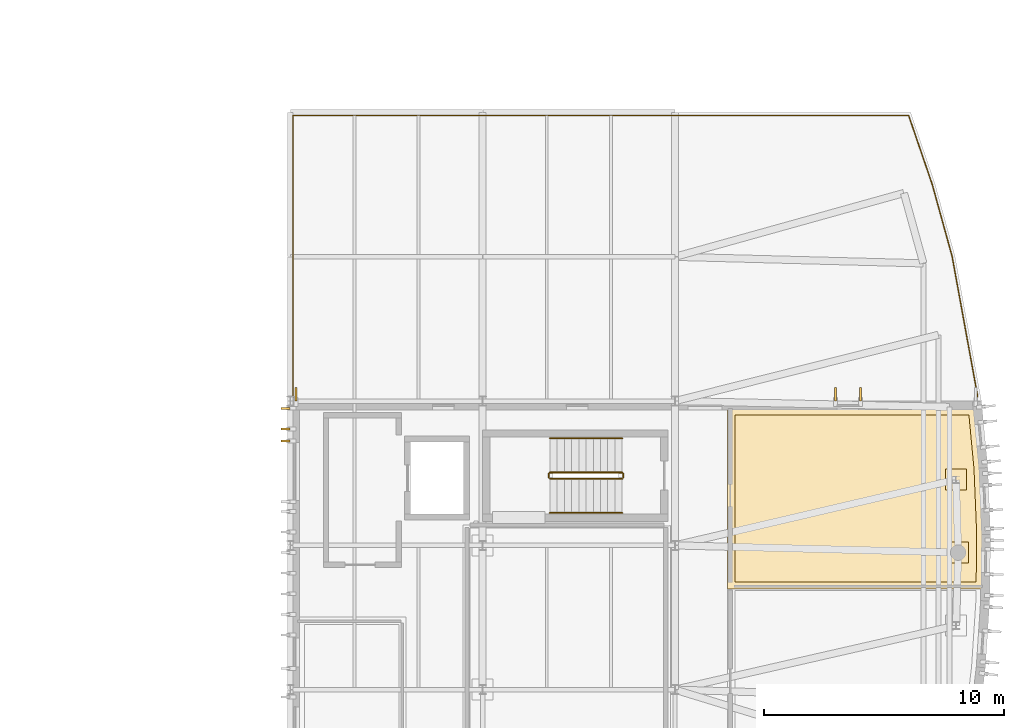
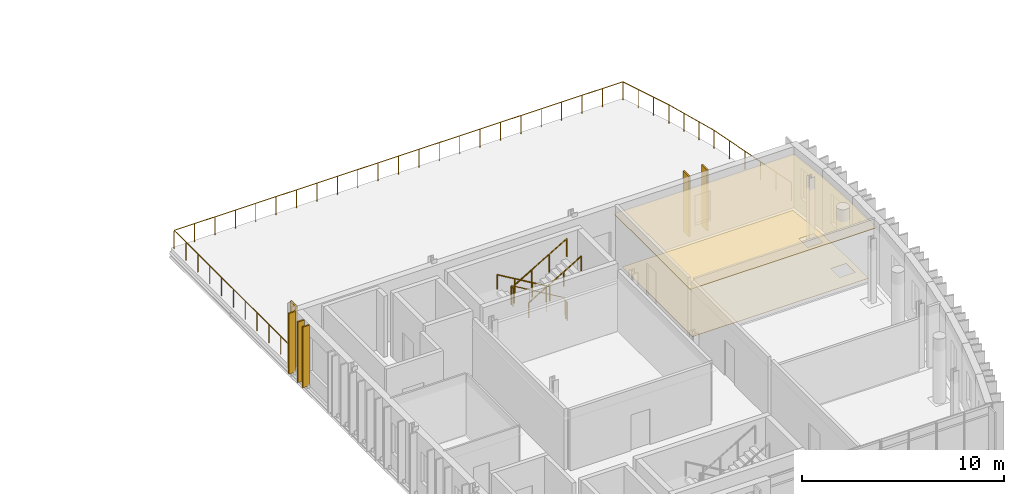
# One storey, part 39 of 40: 8 coverings, 7 railings.
"""IFC4 building model written with IfcOpenShell, lengths in metres."""

from ifc_helpers import new_model, si_unit, direction, frame, origin, origin_2d, place, context, subcontext, project, spatial, polyline, rectangle, circle, outline, extrude, material, layer, layer_set, type_object, element, save


model = new_model("IFC4")

# Units and contexts
model_context = context("Model", 3, precision=1e-05, world=origin(), true_north=direction((0.0, 1.0)))
body_context = subcontext(model_context, "Body", "Model", "MODEL_VIEW")
ifc_project = project(units=[si_unit("LENGTHUNIT", "METRE"), si_unit("AREAUNIT", "SQUARE_METRE"), si_unit("VOLUMEUNIT", "CUBIC_METRE"), si_unit("PLANEANGLEUNIT", "RADIAN"), si_unit("MASSUNIT", "GRAM", prefix="KILO")], contexts=[model_context])

# Site, building, storey
site_placement = place(None, origin())
site = spatial("IfcSite", under=ifc_project, at=site_placement, CompositionType="ELEMENT")
building_placement = place(site_placement, origin())
building = spatial("IfcBuilding", under=site, at=building_placement, Name="Cymarion Research Institute", CompositionType="ELEMENT")
storey_placement = place(building_placement, frame((0.0, 0.0, 26.699951171875)))
storey = spatial("IfcBuildingStorey", under=building, at=storey_placement, Name="L06", CompositionType="ELEMENT", Elevation=26.699951171875)

# Coverings
ifc_material_1 = material(Name="Micro-perforated mineral acoustic ceiling tile", Category="gypsum")
ifc_layer_1 = layer(ifc_material_1, 0.030029296875)
ifc_layer_set_1 = layer_set([ifc_layer_1], Name="Micro-perforated mineral acoustic ceiling tile")
covering_type_1 = type_object("IfcCoveringType", Name="ACOUSTIC MICRO-PERFORATED SUSPENDED CEILING CLG-01", PredefinedType="CEILING", material=ifc_layer_set_1)
covering_1_placement = place(storey_placement, frame((0.0, 0.0, 3.130126953125)))
element("IfcCovering", 1, at=covering_1_placement, inside=storey, type_object=covering_type_1, Name="L06 L06 Tower Staff Restrooms and Accessible Washroom acoustic ceiling", PredefinedType="CEILING", context=body_context, shape_type="SweptSolid", body=[
    extrude(outline(polyline([(167.44580078125, 23.952392578125), (167.418212890625, 21.68505859375), (156.784912109375, 21.68505859375), (156.784912109375, 29.22509765625), (167.093505859375, 29.22509765625), (167.331787109375, 26.714599609375), (167.44580078125, 23.952392578125)])), origin(), (0.0, 0.0, 1.0), 0.030029296875),
])
ifc_material_2 = material(Name="Precast concrete C45/55 architectural white", Category="concrete")
ifc_layer_2 = layer(ifc_material_2, 0.090087890625)
ifc_layer_set_2 = layer_set([ifc_layer_2], Name="Precast concrete C45/55 architectural white")
covering_type_2 = type_object("IfcCoveringType", Name="ARCHITECTURAL WHITE PRECAST CONCRETE VERTICAL FIN FIN1 560MM", PredefinedType="CLADDING", material=ifc_layer_set_2)
for number, where, z_axis, x_axis, name in (
    (2, (162.307861328125, 29.781982421875, 0.01025390625), (0.0, 0.0, 1.0), (0.0, 1.0, 0.0), "L06 V1 white precast vertical fin FIN1 #640"),
    (3, (161.267822265625, 29.781982421875, 0.01025390625), (0.0, 0.0, 1.0), (0.0, 1.0, 0.0), "L06 V1 white precast vertical fin FIN1 #641"),
    (4, (138.840087890625, 29.781982421875, 0.01025390625), (0.0, 0.0, 1.0), (0.0, 1.0, 0.0), "L06 V1 white precast vertical fin FIN1 #642"),
):
    element("IfcCovering", number, at=place(storey_placement, frame(where, z_axis=z_axis, x_axis=x_axis)), inside=storey, type_object=covering_type_2, Name=name, PredefinedType="CLADDING", context=body_context, shape_type="SweptSolid", body=[
        extrude(rectangle(XDim=0.56005859375, YDim=0.090087890625, at=origin_2d()), origin(), (0.0, 0.0, 1.0), 3.659912109375),
    ])
ifc_layer_3 = layer(ifc_material_2, 0.0849609375)
ifc_layer_set_3 = layer_set([ifc_layer_3], Name="Precast concrete C45/55 architectural white")
covering_type_3 = type_object("IfcCoveringType", Name="ARCHITECTURAL WHITE PRECAST CONCRETE VERTICAL FIN FIN3 380MM", PredefinedType="CLADDING", material=ifc_layer_set_3)
for number, where, z_axis, x_axis, name in (
    (5, (138.407958984375, 29.199951171875, 0.01025390625), (0.0, 0.0, 1.0), (-1.0, 0.0, 0.0), "L06 V1 white precast vertical fin FIN3 #643"),
    (6, (138.407958984375, 28.343017578125, 0.01025390625), (0.0, 0.0, 1.0), (-1.0, 0.0, 0.0), "L06 V1 white precast vertical fin FIN3 #644"),
    (7, (138.407958984375, 27.833984375, 0.01025390625), (0.0, 0.0, 1.0), (-1.0, 0.0, 0.0), "L06 V1 white precast vertical fin FIN3 #645"),
):
    element("IfcCovering", number, at=place(storey_placement, frame(where, z_axis=z_axis, x_axis=x_axis)), inside=storey, type_object=covering_type_3, Name=name, PredefinedType="CLADDING", context=body_context, shape_type="SweptSolid", body=[
        extrude(rectangle(XDim=0.3798828125, YDim=0.0849609375, at=origin_2d()), origin(), (0.0, 0.0, 1.0), 3.659912109375),
    ])

# Railings
ifc_material_3 = material(Name="Steel S355", Category="steel")
railing_type_1 = type_object("IfcRailingType", Name="LAMINATED GLASS AND STEEL BALUSTRADE BAL1 1120MM", PredefinedType="BALUSTRADE", material=ifc_material_3)
railing_1_placement = place(storey_placement, frame((138.719970703125, 29.679931640625, 0.0)))
element("IfcRailing", 8, at=railing_1_placement, inside=storey, type_object=railing_type_1, Name="L06 V1 roof garden perimeter balustrade #7", PredefinedType="BALUSTRADE", context=body_context, shape_type="SweptSolid", body=[
    extrude(circle(Radius=0.02392578125, at=origin_2d()), frame((0.0, 0.0, 1.09619140625), z_axis=(0.0, 1.0, 0.0), x_axis=(-1.0, 0.0, 0.0)), (0.0, 0.0, 1.0), 11.699951171875),
    extrude(circle(Radius=0.02392578125, at=origin_2d()), frame((0.0, 11.699951171875, 1.09619140625), z_axis=(1.0, 0.0, 0.0), x_axis=(0.0, 1.0, 0.0)), (0.0, 0.0, 1.0), 25.59423828125),
    extrude(circle(Radius=0.02392578125, at=origin_2d()), frame((25.59423828125, 11.699951171875, 1.09619140625), z_axis=(0.323767487374, -0.94613667835, 0.0), x_axis=(0.94613667835, 0.323767487374, 0.0)), (0.0, 0.0, 1.0), 3.02685546875),
    extrude(circle(Radius=0.02392578125, at=origin_2d()), frame((26.57421875, 8.836181640625, 1.09619140625), z_axis=(0.266419897399, -0.963857063194, 0.0), x_axis=(0.963857063194, 0.266419897399, 0.0)), (0.0, 0.0, 1.0), 3.107421875),
    extrude(circle(Radius=0.02392578125, at=origin_2d()), frame((27.402099609375, 5.841064453125, 1.09619140625), z_axis=(0.179641615294, -0.983732123118, 0.0), x_axis=(0.983732123118, 0.179641615294, 0.0)), (0.0, 0.0, 1.0), 5.937744140625),
    extrude(circle(Radius=0.02099609375, at=origin_2d()), origin(), (0.0, 0.0, 1.0), 1.072021484375),
    extrude(circle(Radius=0.02099609375, at=origin_2d()), frame((0.0, 1.169921875, 0.0)), (0.0, 0.0, 1.0), 1.072021484375),
    extrude(circle(Radius=0.02099609375, at=origin_2d()), frame((0.0, 2.340087890625, 0.0)), (0.0, 0.0, 1.0), 1.072021484375),
    extrude(circle(Radius=0.02099609375, at=origin_2d()), frame((0.0, 3.510009765625, 0.0)), (0.0, 0.0, 1.0), 1.072021484375),
    extrude(circle(Radius=0.02099609375, at=origin_2d()), frame((0.0, 4.679931640625, 0.0)), (0.0, 0.0, 1.0), 1.072021484375),
    extrude(circle(Radius=0.02099609375, at=origin_2d()), frame((0.0, 5.85009765625, 0.0)), (0.0, 0.0, 1.0), 1.072021484375),
    extrude(circle(Radius=0.02099609375, at=origin_2d()), frame((0.0, 7.02001953125, 0.0)), (0.0, 0.0, 1.0), 1.072021484375),
    extrude(circle(Radius=0.02099609375, at=origin_2d()), frame((0.0, 8.18994140625, 0.0)), (0.0, 0.0, 1.0), 1.072021484375),
    extrude(circle(Radius=0.02099609375, at=origin_2d()), frame((0.0, 9.35986328125, 0.0)), (0.0, 0.0, 1.0), 1.072021484375),
    extrude(circle(Radius=0.02099609375, at=origin_2d()), frame((0.0, 10.530029296875, 0.0)), (0.0, 0.0, 1.0), 1.072021484375),
    extrude(circle(Radius=0.02099609375, at=origin_2d()), frame((0.0, 11.699951171875, 0.0)), (0.0, 0.0, 1.0), 1.072021484375),
    extrude(circle(Radius=0.02099609375, at=origin_2d()), frame((1.163330078125, 11.699951171875, 0.0)), (0.0, 0.0, 1.0), 1.072021484375),
    extrude(circle(Radius=0.02099609375, at=origin_2d()), frame((2.32666015625, 11.699951171875, 0.0)), (0.0, 0.0, 1.0), 1.072021484375),
    extrude(circle(Radius=0.02099609375, at=origin_2d()), frame((3.490234375, 11.699951171875, 0.0)), (0.0, 0.0, 1.0), 1.072021484375),
    extrude(circle(Radius=0.02099609375, at=origin_2d()), frame((4.653564453125, 11.699951171875, 0.0)), (0.0, 0.0, 1.0), 1.072021484375),
    extrude(circle(Radius=0.02099609375, at=origin_2d()), frame((5.81689453125, 11.699951171875, 0.0)), (0.0, 0.0, 1.0), 1.072021484375),
    extrude(circle(Radius=0.02099609375, at=origin_2d()), frame((6.980224609375, 11.699951171875, 0.0)), (0.0, 0.0, 1.0), 1.072021484375),
    extrude(circle(Radius=0.02099609375, at=origin_2d()), frame((8.1435546875, 11.699951171875, 0.0)), (0.0, 0.0, 1.0), 1.072021484375),
    extrude(circle(Radius=0.02099609375, at=origin_2d()), frame((9.306884765625, 11.699951171875, 0.0)), (0.0, 0.0, 1.0), 1.072021484375),
    extrude(circle(Radius=0.02099609375, at=origin_2d()), frame((10.470458984375, 11.699951171875, 0.0)), (0.0, 0.0, 1.0), 1.072021484375),
    extrude(circle(Radius=0.02099609375, at=origin_2d()), frame((11.6337890625, 11.699951171875, 0.0)), (0.0, 0.0, 1.0), 1.072021484375),
    extrude(circle(Radius=0.02099609375, at=origin_2d()), frame((12.797119140625, 11.699951171875, 0.0)), (0.0, 0.0, 1.0), 1.072021484375),
    extrude(circle(Radius=0.02099609375, at=origin_2d()), frame((13.96044921875, 11.699951171875, 0.0)), (0.0, 0.0, 1.0), 1.072021484375),
    extrude(circle(Radius=0.02099609375, at=origin_2d()), frame((15.123779296875, 11.699951171875, 0.0)), (0.0, 0.0, 1.0), 1.072021484375),
    extrude(circle(Radius=0.02099609375, at=origin_2d()), frame((16.287353515625, 11.699951171875, 0.0)), (0.0, 0.0, 1.0), 1.072021484375),
    extrude(circle(Radius=0.02099609375, at=origin_2d()), frame((17.45068359375, 11.699951171875, 0.0)), (0.0, 0.0, 1.0), 1.072021484375),
    extrude(circle(Radius=0.02099609375, at=origin_2d()), frame((18.614013671875, 11.699951171875, 0.0)), (0.0, 0.0, 1.0), 1.072021484375),
    extrude(circle(Radius=0.02099609375, at=origin_2d()), frame((19.77734375, 11.699951171875, 0.0)), (0.0, 0.0, 1.0), 1.072021484375),
    extrude(circle(Radius=0.02099609375, at=origin_2d()), frame((20.940673828125, 11.699951171875, 0.0)), (0.0, 0.0, 1.0), 1.072021484375),
    extrude(circle(Radius=0.02099609375, at=origin_2d()), frame((22.10400390625, 11.699951171875, 0.0)), (0.0, 0.0, 1.0), 1.072021484375),
    extrude(circle(Radius=0.02099609375, at=origin_2d()), frame((23.267578125, 11.699951171875, 0.0)), (0.0, 0.0, 1.0), 1.072021484375),
    extrude(circle(Radius=0.02099609375, at=origin_2d()), frame((24.430908203125, 11.699951171875, 0.0)), (0.0, 0.0, 1.0), 1.072021484375),
    extrude(circle(Radius=0.02099609375, at=origin_2d()), frame((25.59423828125, 11.699951171875, 0.0)), (0.0, 0.0, 1.0), 1.072021484375),
    extrude(circle(Radius=0.02099609375, at=origin_2d()), frame((25.9208984375, 10.745361328125, 0.0)), (0.0, 0.0, 1.0), 1.072021484375),
    extrude(circle(Radius=0.02099609375, at=origin_2d()), frame((26.24755859375, 9.790771484375, 0.0)), (0.0, 0.0, 1.0), 1.072021484375),
    extrude(circle(Radius=0.02099609375, at=origin_2d()), frame((26.57421875, 8.836181640625, 0.0)), (0.0, 0.0, 1.0), 1.072021484375),
    extrude(circle(Radius=0.02099609375, at=origin_2d()), frame((26.85009765625, 7.837890625, 0.0)), (0.0, 0.0, 1.0), 1.072021484375),
    extrude(circle(Radius=0.02099609375, at=origin_2d()), frame((27.126220703125, 6.83935546875, 0.0)), (0.0, 0.0, 1.0), 1.072021484375),
    extrude(circle(Radius=0.02099609375, at=origin_2d()), frame((27.402099609375, 5.841064453125, 0.0)), (0.0, 0.0, 1.0), 1.072021484375),
    extrude(circle(Radius=0.02099609375, at=origin_2d()), frame((27.615478515625, 4.6728515625, 0.0)), (0.0, 0.0, 1.0), 1.072021484375),
    extrude(circle(Radius=0.02099609375, at=origin_2d()), frame((27.828857421875, 3.504638671875, 0.0)), (0.0, 0.0, 1.0), 1.072021484375),
    extrude(circle(Radius=0.02099609375, at=origin_2d()), frame((28.0419921875, 2.33642578125, 0.0)), (0.0, 0.0, 1.0), 1.072021484375),
    extrude(circle(Radius=0.02099609375, at=origin_2d()), frame((28.25537109375, 1.168212890625, 0.0)), (0.0, 0.0, 1.0), 1.072021484375),
    extrude(circle(Radius=0.02099609375, at=origin_2d()), frame((28.46875, 0.0, 0.0)), (0.0, 0.0, 1.0), 1.072021484375),
])
railing_type_2 = type_object("IfcRailingType", Name="PAINTED STEEL STAIR GUARDRAIL GR1 1100MM", PredefinedType="GUARDRAIL", material=ifc_material_3)
railing_2_placement = place(storey_placement, frame((152.39990234375, 26.530029296875, 0.17724609375)))
element("IfcRailing", 9, at=railing_2_placement, inside=storey, type_object=railing_type_2, Name="L06 ST2 stair guard 1", PredefinedType="GUARDRAIL", context=body_context, shape_type="SweptSolid", body=[
    extrude(circle(Radius=0.02392578125, at=origin_2d()), frame((0.0, 0.0, 1.076171875), z_axis=(-0.86092931783, 0.0, 0.508724591208), x_axis=(0.0, -1.0, 0.0)), (0.0, 0.0, 1.0), 3.484619140625),
    extrude(circle(Radius=0.02099609375, at=origin_2d()), origin(), (0.0, 0.0, 1.0), 1.052001953125),
    extrude(circle(Radius=0.02099609375, at=origin_2d()), frame((-1.0, 0.0, 0.5908203125)), (0.0, 0.0, 1.0), 1.052001953125),
    extrude(circle(Radius=0.02099609375, at=origin_2d()), frame((-2.0, 0.0, 1.181884765625)), (0.0, 0.0, 1.0), 1.052001953125),
    extrude(circle(Radius=0.02099609375, at=origin_2d()), frame((-3.0, 0.0, 1.772705078125)), (0.0, 0.0, 1.0), 1.052001953125),
])
railing_3_placement = place(storey_placement, frame((149.35009765625, 26.47998046875, 1.949951171875)))
element("IfcRailing", 10, at=railing_3_placement, inside=storey, type_object=railing_type_2, Name="L06 ST2 stair guard 2", PredefinedType="GUARDRAIL", context=body_context, shape_type="SweptSolid", body=[
    extrude(circle(Radius=0.02392578125, at=origin_2d()), frame((0.0, 0.0, 1.076171875), z_axis=(0.0, -1.0, 0.0), x_axis=(1.0, 0.0, 0.0)), (0.0, 0.0, 1.0), 0.159912109375),
    extrude(circle(Radius=0.02099609375, at=origin_2d()), origin(), (0.0, 0.0, 1.0), 1.052001953125),
    extrude(circle(Radius=0.02099609375, at=origin_2d()), frame((0.0, -0.159912109375, 0.0)), (0.0, 0.0, 1.0), 1.052001953125),
])
railing_4_placement = place(storey_placement, frame((149.39990234375, 26.27001953125, 2.12744140625)))
element("IfcRailing", 11, at=railing_4_placement, inside=storey, type_object=railing_type_2, Name="L06 ST2 stair guard 3", PredefinedType="GUARDRAIL", context=body_context, shape_type="SweptSolid", body=[
    extrude(circle(Radius=0.02392578125, at=origin_2d()), frame((0.0, 0.0, 1.076171875), z_axis=(0.86092931783, 0.0, 0.508724591208), x_axis=(0.0, 1.0, 0.0)), (0.0, 0.0, 1.0), 3.484619140625),
    extrude(circle(Radius=0.02099609375, at=origin_2d()), origin(), (0.0, 0.0, 1.0), 1.052001953125),
    extrude(circle(Radius=0.02099609375, at=origin_2d()), frame((1.0, 0.0, 0.5908203125)), (0.0, 0.0, 1.0), 1.052001953125),
    extrude(circle(Radius=0.02099609375, at=origin_2d()), frame((2.0, 0.0, 1.181884765625)), (0.0, 0.0, 1.0), 1.052001953125),
    extrude(circle(Radius=0.02099609375, at=origin_2d()), frame((3.0, 0.0, 1.772705078125)), (0.0, 0.0, 1.0), 1.052001953125),
])
railing_5_placement = place(storey_placement, frame((152.449951171875, 26.47998046875, 0.0)))
element("IfcRailing", 12, at=railing_5_placement, inside=storey, type_object=railing_type_2, Name="L06 ST2 stair guard 4", PredefinedType="GUARDRAIL", context=body_context, shape_type="SweptSolid", body=[
    extrude(circle(Radius=0.02392578125, at=origin_2d()), frame((0.0, 0.0, 1.076171875), z_axis=(0.0, -1.0, 0.0), x_axis=(1.0, 0.0, 0.0)), (0.0, 0.0, 1.0), 0.159912109375),
    extrude(circle(Radius=0.02099609375, at=origin_2d()), origin(), (0.0, 0.0, 1.0), 1.052001953125),
    extrude(circle(Radius=0.02099609375, at=origin_2d()), frame((0.0, -0.159912109375, 0.0)), (0.0, 0.0, 1.0), 1.052001953125),
])

# Covering
ifc_material_4 = material(Name="Seamless dissipative epoxy resin flooring", Category="resin")
ifc_layer_4 = layer(ifc_material_4, 0.02001953125)
ifc_layer_set_4 = layer_set([ifc_layer_4], Name="Seamless dissipative epoxy resin flooring")
covering_type_4 = type_object("IfcCoveringType", Name="SEAMLESS ESD EPOXY LABORATORY FLOORING FLR-01", PredefinedType="FLOORING", material=ifc_layer_set_4)
covering_2_placement = place(storey_placement, origin())
element("IfcCovering", 13, at=covering_2_placement, inside=storey, type_object=covering_type_4, Name="L06 L06 Tower Staff Restrooms and Accessible Washroom ESD epoxy flooring", PredefinedType="FLOORING", context=body_context, shape_type="SweptSolid", body=[
    extrude(outline(polyline([(167.032470703125, 26.694091796875), (167.14599609375, 23.947998046875), (167.121826171875, 21.985107421875), (157.0849609375, 21.985107421875), (157.0849609375, 28.925048828125), (166.820556640625, 28.925048828125), (167.032470703125, 26.694091796875)]), holes=[polyline([(165.94140625, 22.764892578125), (166.8115234375, 22.764892578125), (166.8115234375, 23.635009765625), (165.94140625, 23.635009765625), (165.94140625, 22.764892578125)]), polyline([(165.8505859375, 26.6689453125), (165.8505859375, 25.799072265625), (166.720458984375, 25.799072265625), (166.720458984375, 26.6689453125), (165.8505859375, 26.6689453125)])]), origin(), (0.0, 0.0, 1.0), 0.02001953125),
])

# Railings
railing_type_3 = type_object("IfcRailingType", Name="STAINLESS STEEL STAIR HANDRAIL HR1 900MM", PredefinedType="HANDRAIL", material=ifc_material_3)
railing_6_placement = place(storey_placement, frame((152.39990234375, 27.949951171875, 0.17724609375)))
element("IfcRailing", 14, at=railing_6_placement, inside=storey, type_object=railing_type_3, Name="L06 ST2 stair handrail 1", PredefinedType="HANDRAIL", context=body_context, shape_type="SweptSolid", body=[
    extrude(circle(Radius=0.02392578125, at=origin_2d()), frame((0.0, 0.0, 0.8759765625), z_axis=(-0.86092931783, 0.0, 0.508724591208), x_axis=(0.0, -1.0, 0.0)), (0.0, 0.0, 1.0), 3.484619140625),
    extrude(circle(Radius=0.02099609375, at=origin_2d()), origin(), (0.0, 0.0, 1.0), 0.851806640625),
    extrude(circle(Radius=0.02099609375, at=origin_2d()), frame((-1.0, 0.0, 0.5908203125)), (0.0, 0.0, 1.0), 0.851806640625),
    extrude(circle(Radius=0.02099609375, at=origin_2d()), frame((-2.0, 0.0, 1.181884765625)), (0.0, 0.0, 1.0), 0.851806640625),
    extrude(circle(Radius=0.02099609375, at=origin_2d()), frame((-3.0, 0.0, 1.772705078125)), (0.0, 0.0, 1.0), 0.851806640625),
])
railing_7_placement = place(storey_placement, frame((149.39990234375, 24.85009765625, 2.12744140625)))
element("IfcRailing", 15, at=railing_7_placement, inside=storey, type_object=railing_type_3, Name="L06 ST2 stair handrail 2", PredefinedType="HANDRAIL", context=body_context, shape_type="SweptSolid", body=[
    extrude(circle(Radius=0.02392578125, at=origin_2d()), frame((0.0, 0.0, 0.8759765625), z_axis=(0.86092931783, 0.0, 0.508724591208), x_axis=(0.0, 1.0, 0.0)), (0.0, 0.0, 1.0), 3.484619140625),
    extrude(circle(Radius=0.02099609375, at=origin_2d()), origin(), (0.0, 0.0, 1.0), 0.851806640625),
    extrude(circle(Radius=0.02099609375, at=origin_2d()), frame((1.0, 0.0, 0.5908203125)), (0.0, 0.0, 1.0), 0.851806640625),
    extrude(circle(Radius=0.02099609375, at=origin_2d()), frame((2.0, 0.0, 1.181884765625)), (0.0, 0.0, 1.0), 0.851806640625),
    extrude(circle(Radius=0.02099609375, at=origin_2d()), frame((3.0, 0.0, 1.772705078125)), (0.0, 0.0, 1.0), 0.851806640625),
])

save(model, "model.ifc")
